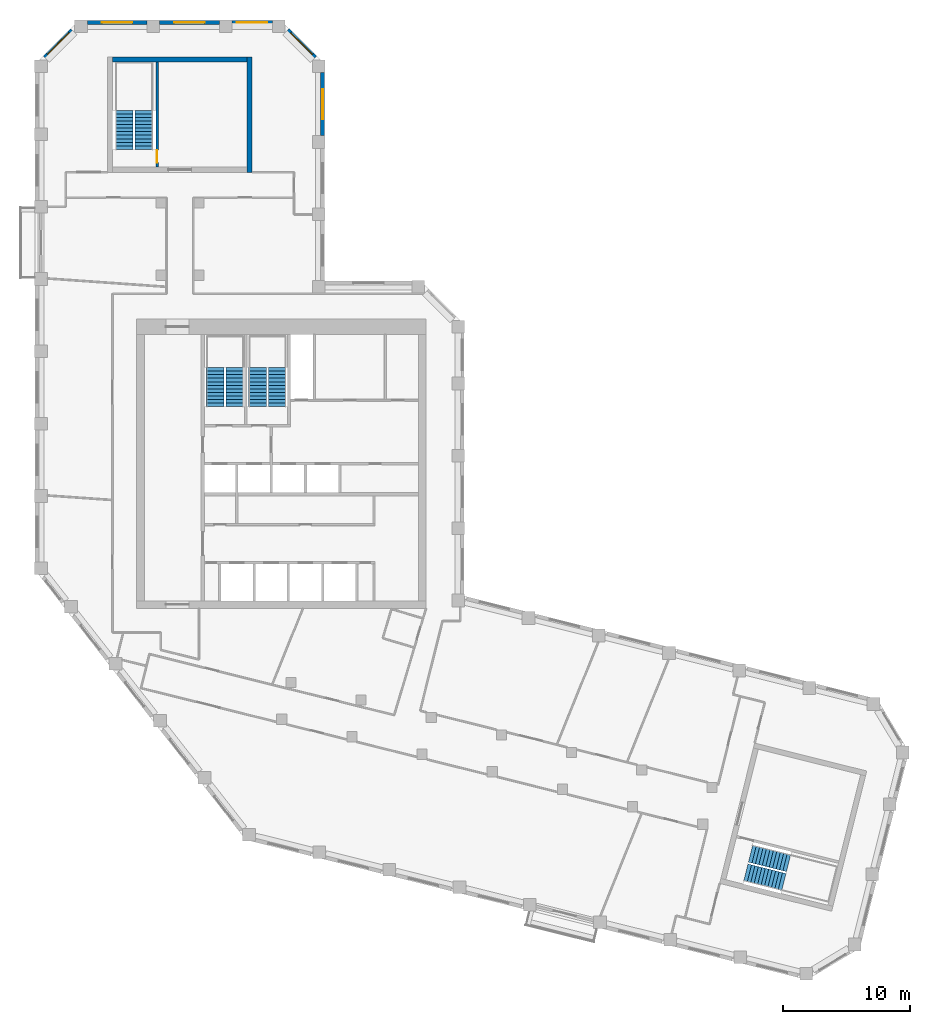
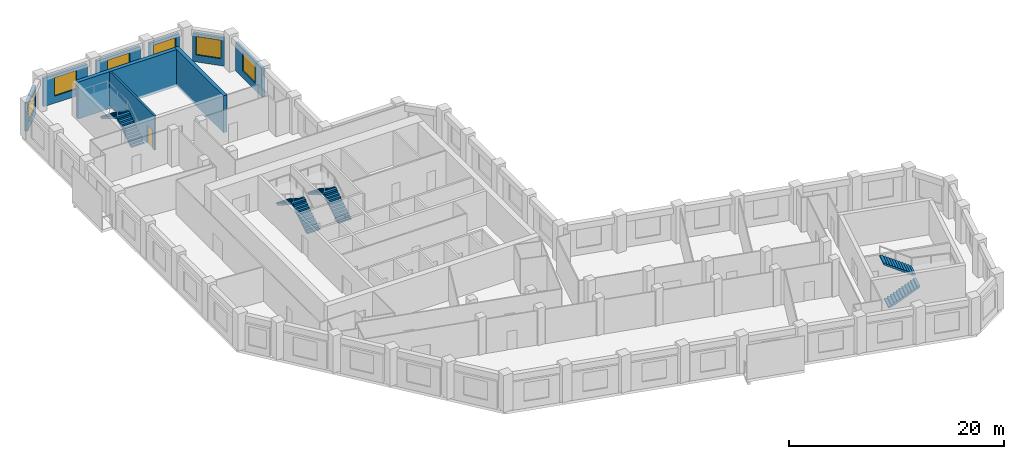
# One storey, part 8 of 9: 9 walls, 8 stair flights, 6 windows, 1 door, 7 openings, 4 elements without a shape of their own.
"""IFC4 building model written with IfcOpenShell, lengths in metres."""

from ifc_helpers import new_model, si_unit, direction, frame, frame_2d, origin, place, context, subcontext, project, spatial, polyline, rectangle, outline, extrude, material, layer, layer_set, type_object, element, fill, aggregate, save


model = new_model("IFC4")

# Units and contexts
model_context = context("Model", 3, precision=1e-05, world=origin(), true_north=direction((0.0, 1.0)))
body_context = subcontext(model_context, "Body", "Model", "MODEL_VIEW")
ifc_project = project(units=[si_unit("LENGTHUNIT", "METRE"), si_unit("AREAUNIT", "SQUARE_METRE"), si_unit("VOLUMEUNIT", "CUBIC_METRE"), si_unit("PLANEANGLEUNIT", "RADIAN"), si_unit("MASSUNIT", "GRAM", prefix="KILO")], contexts=[model_context])

# Site, building, storey
site_placement = place(None, origin())
site = spatial("IfcSite", under=ifc_project, at=site_placement, CompositionType="ELEMENT")
building_placement = place(site_placement, origin())
building = spatial("IfcBuilding", under=site, at=building_placement, Name="Meshkara Civic Tower", CompositionType="ELEMENT")
storey_placement = place(building_placement, frame((0.0, 0.0, 302.39990234375)))
storey = spatial("IfcBuildingStorey", under=building, at=storey_placement, Name="L69", CompositionType="ELEMENT", Elevation=302.39990234375)

# Wall, opening, window
ifc_material_1 = material(Name="Insulated infill panel with bronze anodised aluminium cladding", Category="aluminium")
ifc_layer_1 = layer(ifc_material_1, 0.300048828125)
ifc_layer_set_1 = layer_set([ifc_layer_1], Name="EXTERNAL INFILL WALL 300")
wall_type_1 = type_object("IfcWallType", Name="EXTERNAL INFILL WALL 300", PredefinedType="SOLIDWALL", material=ifc_layer_set_1)
wall_1_placement = place(storey_placement, frame((22.64990234375, 51.35009765625, 0.0), z_axis=(0.0, 0.0, 1.0), x_axis=(0.0, 1.0, 0.0)))
wall_1 = element("IfcWall", 1, at=wall_1_placement, inside=storey, type_object=wall_type_1, Name="External wall", PredefinedType="SOLIDWALL", context=body_context, shape_type="SweptSolid", body=[
    extrude(rectangle(XDim=4.9638671875, YDim=0.300048828125, at=frame_2d((2.48193359375, 0.0))), origin(), (0.0, 0.0, 1.0), 3.2001953125),
])
opening_1_placement = place(wall_1_placement, frame((1.281982421875, 0.0, 0.800048828125)))
opening_1 = element("IfcOpeningElement", 2, at=opening_1_placement, cuts=wall_1, Name="Opening W7", PredefinedType="OPENING", context=body_context, shape_type="SweptSolid", body=[
    extrude(rectangle(XDim=2.39990234375, YDim=2.10009765625, at=frame_2d((1.199951171875, 1.050048828125))), frame((0.0, 0.159912109375, 0.0), z_axis=(0.0, -1.0, 0.0), x_axis=(1.0, 0.0, 0.0)), (0.0, 0.0, 1.0), 0.320068359375),
])
ifc_material_2 = material(Name="Tinted double glazing", Category="glass")
window_type = type_object("IfcWindowType", Name="WINDOW 2400x2100", PartitioningType="DOUBLE_PANEL_VERTICAL", PredefinedType="WINDOW", material=ifc_material_2)
window_1_placement = place(opening_1_placement, origin())
window_1 = element("IfcWindow", 3, at=window_1_placement, inside=storey, type_object=window_type, Name="Window", OverallHeight=2.10009765625, OverallWidth=2.39990234375, PartitioningType="DOUBLE_PANEL_VERTICAL", PredefinedType="WINDOW", context=body_context, shape_type="SweptSolid", body=[
    extrude(rectangle(XDim=2.39990234375, YDim=2.10009765625, at=frame_2d((1.199951171875, 1.050048828125))), frame((0.0, 0.030029296875, 0.0), z_axis=(0.0, -1.0, 0.0), x_axis=(1.0, 0.0, 0.0)), (0.0, 0.0, 1.0), 0.06005859375),
])
fill(opening_1, window_1)

wall_2_placement = place(storey_placement, frame((22.06201171875, 57.52587890625, 0.0), z_axis=(0.0, 0.0, 1.0), x_axis=(-0.707106781187, 0.707106781187, 0.0)))
wall_2 = element("IfcWall", 4, at=wall_2_placement, inside=storey, type_object=wall_type_1, Name="External wall", PredefinedType="SOLIDWALL", context=body_context, shape_type="SweptSolid", body=[
    extrude(rectangle(XDim=3.049072265625, YDim=0.300048828125, at=frame_2d((1.5244140625, 0.0))), origin(), (0.0, 0.0, 1.0), 3.2001953125),
])
opening_2_placement = place(wall_2_placement, frame((0.324951171875, 0.0, 0.800048828125)))
opening_2 = element("IfcOpeningElement", 5, at=opening_2_placement, cuts=wall_2, Name="Opening W7", PredefinedType="OPENING", context=body_context, shape_type="SweptSolid", body=[
    extrude(rectangle(XDim=2.39990234375, YDim=2.10009765625, at=frame_2d((1.199951171875, 1.050048828125))), frame((0.0, 0.159912109375, 0.0), z_axis=(0.0, -1.0, 0.0), x_axis=(1.0, 0.0, 0.0)), (0.0, 0.0, 1.0), 0.320068359375),
])
window_2_placement = place(opening_2_placement, origin())
window_2 = element("IfcWindow", 6, at=window_2_placement, inside=storey, type_object=window_type, Name="Window", OverallHeight=2.10009765625, OverallWidth=2.39990234375, PartitioningType="DOUBLE_PANEL_VERTICAL", PredefinedType="WINDOW", context=body_context, shape_type="SweptSolid", body=[
    extrude(rectangle(XDim=2.39990234375, YDim=2.10009765625, at=frame_2d((1.199951171875, 1.050048828125))), frame((0.0, 0.030029296875, 0.0), z_axis=(0.0, -1.0, 0.0), x_axis=(1.0, 0.0, 0.0)), (0.0, 0.0, 1.0), 0.06005859375),
])
fill(opening_2, window_2)

wall_3_placement = place(storey_placement, frame((18.694091796875, 60.27001953125, 0.0), z_axis=(0.0, 0.0, 1.0), x_axis=(-1.0, 0.0, 0.0)))
wall_3 = element("IfcWall", 7, at=wall_3_placement, inside=storey, type_object=wall_type_1, Name="External wall", PredefinedType="SOLIDWALL", context=body_context, shape_type="SweptSolid", body=[
    extrude(rectangle(XDim=3.18798828125, YDim=0.300048828125, at=frame_2d((1.593994140625, 0.0))), origin(), (0.0, 0.0, 1.0), 3.2001953125),
])
opening_3_placement = place(wall_3_placement, frame((0.39404296875, 0.0, 0.800048828125)))
opening_3 = element("IfcOpeningElement", 8, at=opening_3_placement, cuts=wall_3, Name="Opening W7", PredefinedType="OPENING", context=body_context, shape_type="SweptSolid", body=[
    extrude(rectangle(XDim=2.39990234375, YDim=2.10009765625, at=frame_2d((1.199951171875, 1.050048828125))), frame((0.0, 0.159912109375, 0.0), z_axis=(0.0, -1.0, 0.0), x_axis=(1.0, 0.0, 0.0)), (0.0, 0.0, 1.0), 0.320068359375),
])
window_3_placement = place(opening_3_placement, origin())
window_3 = element("IfcWindow", 9, at=window_3_placement, inside=storey, type_object=window_type, Name="Window", OverallHeight=2.10009765625, OverallWidth=2.39990234375, PartitioningType="DOUBLE_PANEL_VERTICAL", PredefinedType="WINDOW", context=body_context, shape_type="SweptSolid", body=[
    extrude(rectangle(XDim=2.39990234375, YDim=2.10009765625, at=frame_2d((1.199951171875, 1.050048828125))), frame((0.0, 0.030029296875, 0.0), z_axis=(0.0, -1.0, 0.0), x_axis=(1.0, 0.0, 0.0)), (0.0, 0.0, 1.0), 0.06005859375),
])
fill(opening_3, window_3)

wall_4_placement = place(storey_placement, frame((14.506103515625, 60.27001953125, 0.0), z_axis=(0.0, 0.0, 1.0), x_axis=(-1.0, 0.0, 0.0)))
wall_4 = element("IfcWall", 10, at=wall_4_placement, inside=storey, type_object=wall_type_1, Name="External wall", PredefinedType="SOLIDWALL", context=body_context, shape_type="SweptSolid", body=[
    extrude(rectangle(XDim=4.7001953125, YDim=0.300048828125, at=frame_2d((2.35009765625, 0.0))), origin(), (0.0, 0.0, 1.0), 3.2001953125),
])
opening_4_placement = place(wall_4_placement, frame((1.14990234375, 0.0, 0.800048828125)))
opening_4 = element("IfcOpeningElement", 11, at=opening_4_placement, cuts=wall_4, Name="Opening W7", PredefinedType="OPENING", context=body_context, shape_type="SweptSolid", body=[
    extrude(rectangle(XDim=2.39990234375, YDim=2.10009765625, at=frame_2d((1.199951171875, 1.050048828125))), frame((0.0, 0.159912109375, 0.0), z_axis=(0.0, -1.0, 0.0), x_axis=(1.0, 0.0, 0.0)), (0.0, 0.0, 1.0), 0.320068359375),
])
window_4_placement = place(opening_4_placement, origin())
window_4 = element("IfcWindow", 12, at=window_4_placement, inside=storey, type_object=window_type, Name="Window", OverallHeight=2.10009765625, OverallWidth=2.39990234375, PartitioningType="DOUBLE_PANEL_VERTICAL", PredefinedType="WINDOW", context=body_context, shape_type="SweptSolid", body=[
    extrude(rectangle(XDim=2.39990234375, YDim=2.10009765625, at=frame_2d((1.199951171875, 1.050048828125))), frame((0.0, 0.030029296875, 0.0), z_axis=(0.0, -1.0, 0.0), x_axis=(1.0, 0.0, 0.0)), (0.0, 0.0, 1.0), 0.06005859375),
])
fill(opening_4, window_4)

wall_5_placement = place(storey_placement, frame((8.805908203125, 60.27001953125, 0.0), z_axis=(0.0, 0.0, 1.0), x_axis=(-1.0, 0.0, 0.0)))
wall_5 = element("IfcWall", 13, at=wall_5_placement, inside=storey, type_object=wall_type_1, Name="External wall", PredefinedType="SOLIDWALL", context=body_context, shape_type="SweptSolid", body=[
    extrude(rectangle(XDim=4.699951171875, YDim=0.300048828125, at=frame_2d((2.35009765625, 0.0))), origin(), (0.0, 0.0, 1.0), 3.2001953125),
])
opening_5_placement = place(wall_5_placement, frame((1.14990234375, 0.0, 0.800048828125)))
opening_5 = element("IfcOpeningElement", 14, at=opening_5_placement, cuts=wall_5, Name="Opening W7", PredefinedType="OPENING", context=body_context, shape_type="SweptSolid", body=[
    extrude(rectangle(XDim=2.39990234375, YDim=2.10009765625, at=frame_2d((1.199951171875, 1.050048828125))), frame((0.0, 0.159912109375, 0.0), z_axis=(0.0, -1.0, 0.0), x_axis=(1.0, 0.0, 0.0)), (0.0, 0.0, 1.0), 0.320068359375),
])
window_5_placement = place(opening_5_placement, origin())
window_5 = element("IfcWindow", 15, at=window_5_placement, inside=storey, type_object=window_type, Name="Window", OverallHeight=2.10009765625, OverallWidth=2.39990234375, PartitioningType="DOUBLE_PANEL_VERTICAL", PredefinedType="WINDOW", context=body_context, shape_type="SweptSolid", body=[
    extrude(rectangle(XDim=2.39990234375, YDim=2.10009765625, at=frame_2d((1.199951171875, 1.050048828125))), frame((0.0, 0.030029296875, 0.0), z_axis=(0.0, -1.0, 0.0), x_axis=(1.0, 0.0, 0.0)), (0.0, 0.0, 1.0), 0.06005859375),
])
fill(opening_5, window_5)

wall_6_placement = place(storey_placement, frame((2.89404296875, 59.681884765625, 0.0), z_axis=(0.0, 0.0, 1.0), x_axis=(-0.707106781187, -0.707106781187, 0.0)))
wall_6 = element("IfcWall", 16, at=wall_6_placement, inside=storey, type_object=wall_type_1, Name="External wall", PredefinedType="SOLIDWALL", context=body_context, shape_type="SweptSolid", body=[
    extrude(rectangle(XDim=3.049072265625, YDim=0.300048828125, at=frame_2d((1.5244140625, 0.0))), origin(), (0.0, 0.0, 1.0), 3.2001953125),
])
opening_6_placement = place(wall_6_placement, frame((0.324951171875, 0.0, 0.800048828125)))
opening_6 = element("IfcOpeningElement", 17, at=opening_6_placement, cuts=wall_6, Name="Opening W7", PredefinedType="OPENING", context=body_context, shape_type="SweptSolid", body=[
    extrude(rectangle(XDim=2.39990234375, YDim=2.10009765625, at=frame_2d((1.199951171875, 1.050048828125))), frame((0.0, 0.159912109375, 0.0), z_axis=(0.0, -1.0, 0.0), x_axis=(1.0, 0.0, 0.0)), (0.0, 0.0, 1.0), 0.320068359375),
])
window_6_placement = place(opening_6_placement, origin())
window_6 = element("IfcWindow", 18, at=window_6_placement, inside=storey, type_object=window_type, Name="Window", OverallHeight=2.10009765625, OverallWidth=2.39990234375, PartitioningType="DOUBLE_PANEL_VERTICAL", PredefinedType="WINDOW", context=body_context, shape_type="SweptSolid", body=[
    extrude(rectangle(XDim=2.39990234375, YDim=2.10009765625, at=frame_2d((1.199951171875, 1.050048828125))), frame((0.0, 0.030029296875, 0.0), z_axis=(0.0, -1.0, 0.0), x_axis=(1.0, 0.0, 0.0)), (0.0, 0.0, 1.0), 0.06005859375),
])
fill(opening_6, window_6)

# Walls
ifc_material_3 = material(Name="Concrete C60", Category="concrete")
ifc_layer_2 = layer(ifc_material_3, 0.39990234375)
ifc_layer_set_2 = layer_set([ifc_layer_2], Name="End core ring wall 400 C60")
wall_type_2 = type_object("IfcWallType", Name="End core ring wall 400 C60", PredefinedType="SHEAR", material=ifc_layer_set_2)
wall_7_placement = place(storey_placement, frame((16.89990234375, 48.469970703125, -0.2998046875), z_axis=(0.0, 0.0, 1.0), x_axis=(0.0, 1.0, 0.0)))
element("IfcWall", 19, at=wall_7_placement, inside=storey, type_object=wall_type_2, Name="L69-C028", PredefinedType="SHEAR", context=body_context, shape_type="SweptSolid", body=[
    extrude(rectangle(XDim=9.10009765625, YDim=0.39990234375, at=frame_2d((4.550048828125, 0.0))), origin(), (0.0, 0.0, 1.0), 4.199951171875),
])
wall_8_placement = place(storey_placement, frame((6.10009765625, 57.3701171875, -0.2998046875), z_axis=(0.0, 0.0, 1.0), x_axis=(1.0, 0.0, 0.0)))
element("IfcWall", 20, at=wall_8_placement, inside=storey, type_object=wall_type_2, Name="L69-C030", PredefinedType="SHEAR", context=body_context, shape_type="SweptSolid", body=[
    extrude(rectangle(XDim=10.599853515625, YDim=0.39990234375, at=frame_2d((5.2998046875, 0.0))), origin(), (0.0, 0.0, 1.0), 4.199951171875),
])

# Wall, opening, door
ifc_material_4 = material(Name="Concrete C40/50", Category="concrete")
ifc_layer_3 = layer(ifc_material_4, 0.199951171875)
ifc_layer_set_3 = layer_set([ifc_layer_3], Name="Stair enclosure wall 200 C40/50")
wall_type_3 = type_object("IfcWallType", Name="Stair enclosure wall 200 C40/50", PredefinedType="SOLIDWALL", material=ifc_layer_set_3)
wall_9_placement = place(storey_placement, frame((9.60009765625, 48.8701171875, 0.0), z_axis=(0.0, 0.0, 1.0), x_axis=(0.0, 1.0, 0.0)))
wall_9 = element("IfcWall", 21, at=wall_9_placement, inside=storey, type_object=wall_type_3, Name="L69-C031", PredefinedType="SOLIDWALL", context=body_context, shape_type="SweptSolid", body=[
    extrude(rectangle(XDim=8.2998046875, YDim=0.199951171875, at=frame_2d((4.14990234375, 0.0))), origin(), (0.0, 0.0, 1.0), 3.900146484375),
])
opening_7_placement = place(wall_9_placement, frame((0.35009765625, 0.0, 0.0)))
opening_7 = element("IfcOpeningElement", 22, at=opening_7_placement, cuts=wall_9, Name="Opening L69-K101", PredefinedType="OPENING", context=body_context, shape_type="SweptSolid", body=[
    extrude(rectangle(XDim=1.0, YDim=2.10009765625, at=frame_2d((0.5, 1.050048828125))), frame((0.0, 0.10986328125, 0.0), z_axis=(0.0, -1.0, 0.0), x_axis=(1.0, 0.0, 0.0)), (0.0, 0.0, 1.0), 0.219970703125),
])
ifc_material_5 = material(Name="Fire-rated door leaf in steel frame", Category="steel")
door_type = type_object("IfcDoorType", Name="Stair door 1000 EI 120", OperationType="SINGLE_SWING_LEFT", PredefinedType="DOOR", material=ifc_material_5)
door_placement = place(opening_7_placement, origin())
door = element("IfcDoor", 23, at=door_placement, inside=storey, type_object=door_type, Name="L69-K101", OperationType="SINGLE_SWING_RIGHT", OverallHeight=2.10009765625, OverallWidth=1.0, PredefinedType="DOOR", context=body_context, shape_type="SweptSolid", body=[
    extrude(rectangle(XDim=1.0, YDim=2.10009765625, at=frame_2d((0.5, 1.050048828125))), frame((0.0, 0.02490234375, 0.0), z_axis=(0.0, -1.0, 0.0), x_axis=(1.0, 0.0, 0.0)), (0.0, 0.0, 1.0), 0.050048828125),
])
fill(opening_7, door)

# Stair, stair flights
ifc_material_6 = material(Name="Precast concrete C40/50", Category="concrete")
stair_type = type_object("IfcStairType", Name="Exit stair half-turn 24 risers precast", PredefinedType="HALF_TURN_STAIR", material=ifc_material_6)
stair_1_placement = place(storey_placement, origin())
stair_1 = element("IfcStair", 24, at=stair_1_placement, inside=storey, type_object=stair_type, Name="L69 exit stair 1", PredefinedType="HALF_TURN_STAIR")
ifc_material_7 = material(Name="Precast concrete C40/50", Category="concrete")
stair_flight_type = type_object("IfcStairFlightType", Name="Exit stair flight 12 risers precast", PredefinedType="STRAIGHT", material=ifc_material_7)
stair_flight_1_placement = place(storey_placement, frame((15.72509765625, 30.0, 0.0), z_axis=(0.0, 0.0, 1.0), x_axis=(0.0, 1.0, 0.0)))
stair_flight_1 = element("IfcStairFlight", 25, at=stair_flight_1_placement, type_object=stair_flight_type, Name="ST1 flight 1", NumberOfRisers=12, NumberOfTreads=11, PredefinedType="STRAIGHT", RiserHeight=0.175, TreadLength=0.28, context=body_context, shape_type="SweptSolid", body=[
    extrude(outline(polyline([(0.0, 0.0), (0.0, 0.175048828125), (0.280029296875, 0.175048828125), (0.280029296875, 0.35009765625), (0.56005859375, 0.35009765625), (0.56005859375, 0.52490234375), (0.840087890625, 0.52490234375), (0.840087890625, 0.699951171875), (1.1201171875, 0.699951171875), (1.1201171875, 0.875), (1.39990234375, 0.875), (1.39990234375, 1.050048828125), (1.679931640625, 1.050048828125), (1.679931640625, 1.22509765625), (1.9599609375, 1.22509765625), (1.9599609375, 1.39990234375), (2.239990234375, 1.39990234375), (2.239990234375, 1.574951171875), (2.52001953125, 1.574951171875), (2.52001953125, 1.75), (2.800048828125, 1.75), (2.800048828125, 1.925048828125), (3.080078125, 1.925048828125), (3.080078125, 2.10009765625), (3.080078125, 1.748291015625), (0.28271484375, 0.0), (0.0, 0.0)])), frame((0.0, 0.699951171875, 0.0), z_axis=(0.0, -1.0, 0.0), x_axis=(1.0, 0.0, 0.0)), (0.0, 0.0, 1.0), 1.39990234375),
])
stair_flight_2_placement = place(storey_placement, frame((14.175048828125, 33.080078125, 2.10009765625), z_axis=(0.0, 0.0, 1.0), x_axis=(0.0, -1.0, 0.0)))
stair_flight_2 = element("IfcStairFlight", 26, at=stair_flight_2_placement, type_object=stair_flight_type, Name="ST1 flight 2", NumberOfRisers=12, NumberOfTreads=11, PredefinedType="STRAIGHT", RiserHeight=0.175, TreadLength=0.28, context=body_context, shape_type="SweptSolid", body=[
    extrude(outline(polyline([(0.0, 0.0), (0.0, 0.175048828125), (0.280029296875, 0.175048828125), (0.280029296875, 0.35009765625), (0.56005859375, 0.35009765625), (0.56005859375, 0.52490234375), (0.840087890625, 0.52490234375), (0.840087890625, 0.699951171875), (1.1201171875, 0.699951171875), (1.1201171875, 0.875), (1.39990234375, 0.875), (1.39990234375, 1.050048828125), (1.679931640625, 1.050048828125), (1.679931640625, 1.22509765625), (1.9599609375, 1.22509765625), (1.9599609375, 1.39990234375), (2.239990234375, 1.39990234375), (2.239990234375, 1.574951171875), (2.52001953125, 1.574951171875), (2.52001953125, 1.75), (2.800048828125, 1.75), (2.800048828125, 1.925048828125), (3.080078125, 1.925048828125), (3.080078125, 2.10009765625), (3.080078125, 1.748291015625), (0.28271484375, 0.0), (0.0, 0.0)])), frame((0.0, 0.699951171875, 0.0), z_axis=(0.0, -1.0, 0.0), x_axis=(1.0, 0.0, 0.0)), (0.0, 0.0, 1.0), 1.39990234375),
])
aggregate(stair_1, [stair_flight_1, stair_flight_2])

stair_2_placement = place(storey_placement, origin())
stair_2 = element("IfcStair", 27, at=stair_2_placement, inside=storey, type_object=stair_type, Name="L69 exit stair 2", PredefinedType="HALF_TURN_STAIR")
stair_flight_3_placement = place(storey_placement, frame((19.074951171875, 30.0, 0.0), z_axis=(0.0, 0.0, 1.0), x_axis=(0.0, 1.0, 0.0)))
stair_flight_3 = element("IfcStairFlight", 28, at=stair_flight_3_placement, type_object=stair_flight_type, Name="ST2 flight 1", NumberOfRisers=12, NumberOfTreads=11, PredefinedType="STRAIGHT", RiserHeight=0.175, TreadLength=0.28, context=body_context, shape_type="SweptSolid", body=[
    extrude(outline(polyline([(0.0, 0.0), (0.0, 0.175048828125), (0.280029296875, 0.175048828125), (0.280029296875, 0.35009765625), (0.56005859375, 0.35009765625), (0.56005859375, 0.52490234375), (0.840087890625, 0.52490234375), (0.840087890625, 0.699951171875), (1.1201171875, 0.699951171875), (1.1201171875, 0.875), (1.39990234375, 0.875), (1.39990234375, 1.050048828125), (1.679931640625, 1.050048828125), (1.679931640625, 1.22509765625), (1.9599609375, 1.22509765625), (1.9599609375, 1.39990234375), (2.239990234375, 1.39990234375), (2.239990234375, 1.574951171875), (2.52001953125, 1.574951171875), (2.52001953125, 1.75), (2.800048828125, 1.75), (2.800048828125, 1.925048828125), (3.080078125, 1.925048828125), (3.080078125, 2.10009765625), (3.080078125, 1.748291015625), (0.28271484375, 0.0), (0.0, 0.0)])), frame((0.0, 0.699951171875, 0.0), z_axis=(0.0, -1.0, 0.0), x_axis=(1.0, 0.0, 0.0)), (0.0, 0.0, 1.0), 1.39990234375),
])
stair_flight_4_placement = place(storey_placement, frame((17.52490234375, 33.080078125, 2.10009765625), z_axis=(0.0, 0.0, 1.0), x_axis=(0.0, -1.0, 0.0)))
stair_flight_4 = element("IfcStairFlight", 29, at=stair_flight_4_placement, type_object=stair_flight_type, Name="ST2 flight 2", NumberOfRisers=12, NumberOfTreads=11, PredefinedType="STRAIGHT", RiserHeight=0.175, TreadLength=0.28, context=body_context, shape_type="SweptSolid", body=[
    extrude(outline(polyline([(0.0, 0.0), (0.0, 0.175048828125), (0.280029296875, 0.175048828125), (0.280029296875, 0.35009765625), (0.56005859375, 0.35009765625), (0.56005859375, 0.52490234375), (0.840087890625, 0.52490234375), (0.840087890625, 0.699951171875), (1.1201171875, 0.699951171875), (1.1201171875, 0.875), (1.39990234375, 0.875), (1.39990234375, 1.050048828125), (1.679931640625, 1.050048828125), (1.679931640625, 1.22509765625), (1.9599609375, 1.22509765625), (1.9599609375, 1.39990234375), (2.239990234375, 1.39990234375), (2.239990234375, 1.574951171875), (2.52001953125, 1.574951171875), (2.52001953125, 1.75), (2.800048828125, 1.75), (2.800048828125, 1.925048828125), (3.080078125, 1.925048828125), (3.080078125, 2.10009765625), (3.080078125, 1.748291015625), (0.28271484375, 0.0), (0.0, 0.0)])), frame((0.0, 0.699951171875, 0.0), z_axis=(0.0, -1.0, 0.0), x_axis=(1.0, 0.0, 0.0)), (0.0, 0.0, 1.0), 1.39990234375),
])
aggregate(stair_2, [stair_flight_3, stair_flight_4])

stair_3_placement = place(storey_placement, origin())
stair_3 = element("IfcStair", 30, at=stair_3_placement, inside=storey, type_object=stair_type, Name="L69 exit stair A from L65", PredefinedType="HALF_TURN_STAIR")
stair_flight_5_placement = place(storey_placement, frame((8.574951171875, 50.27001953125, 0.0), z_axis=(0.0, 0.0, 1.0), x_axis=(0.0, 1.0, 0.0)))
stair_flight_5 = element("IfcStairFlight", 31, at=stair_flight_5_placement, type_object=stair_flight_type, Name="ESA5 flight 1", NumberOfRisers=12, NumberOfTreads=11, PredefinedType="STRAIGHT", RiserHeight=0.175, TreadLength=0.28, context=body_context, shape_type="SweptSolid", body=[
    extrude(outline(polyline([(0.0, 0.0), (0.0, 0.175048828125), (0.280029296875, 0.175048828125), (0.280029296875, 0.35009765625), (0.56005859375, 0.35009765625), (0.56005859375, 0.52490234375), (0.840087890625, 0.52490234375), (0.840087890625, 0.699951171875), (1.1201171875, 0.699951171875), (1.1201171875, 0.875), (1.39990234375, 0.875), (1.39990234375, 1.050048828125), (1.679931640625, 1.050048828125), (1.679931640625, 1.22509765625), (1.9599609375, 1.22509765625), (1.9599609375, 1.39990234375), (2.239990234375, 1.39990234375), (2.239990234375, 1.574951171875), (2.52001953125, 1.574951171875), (2.52001953125, 1.75), (2.800048828125, 1.75), (2.800048828125, 1.925048828125), (3.080078125, 1.925048828125), (3.080078125, 2.10009765625), (3.080078125, 1.748291015625), (0.28271484375, 0.0), (0.0, 0.0)])), frame((0.0, 0.699951171875, 0.0), z_axis=(0.0, -1.0, 0.0), x_axis=(1.0, 0.0, 0.0)), (0.0, 0.0, 1.0), 1.39990234375),
])
stair_flight_6_placement = place(storey_placement, frame((7.02490234375, 53.35009765625, 2.10009765625), z_axis=(0.0, 0.0, 1.0), x_axis=(0.0, -1.0, 0.0)))
stair_flight_6 = element("IfcStairFlight", 32, at=stair_flight_6_placement, type_object=stair_flight_type, Name="ESA5 flight 2", NumberOfRisers=12, NumberOfTreads=11, PredefinedType="STRAIGHT", RiserHeight=0.175, TreadLength=0.28, context=body_context, shape_type="SweptSolid", body=[
    extrude(outline(polyline([(0.0, 0.0), (0.0, 0.175048828125), (0.280029296875, 0.175048828125), (0.280029296875, 0.35009765625), (0.56005859375, 0.35009765625), (0.56005859375, 0.52490234375), (0.840087890625, 0.52490234375), (0.840087890625, 0.699951171875), (1.1201171875, 0.699951171875), (1.1201171875, 0.875), (1.39990234375, 0.875), (1.39990234375, 1.050048828125), (1.679931640625, 1.050048828125), (1.679931640625, 1.22509765625), (1.9599609375, 1.22509765625), (1.9599609375, 1.39990234375), (2.239990234375, 1.39990234375), (2.239990234375, 1.574951171875), (2.52001953125, 1.574951171875), (2.52001953125, 1.75), (2.800048828125, 1.75), (2.800048828125, 1.925048828125), (3.080078125, 1.925048828125), (3.080078125, 2.10009765625), (3.080078125, 1.748291015625), (0.28271484375, 0.0), (0.0, 0.0)])), frame((0.0, 0.699951171875, 0.0), z_axis=(0.0, -1.0, 0.0), x_axis=(1.0, 0.0, 0.0)), (0.0, 0.0, 1.0), 1.39990234375),
])
aggregate(stair_3, [stair_flight_5, stair_flight_6])

stair_4_placement = place(storey_placement, origin())
stair_4 = element("IfcStair", 33, at=stair_4_placement, inside=storey, type_object=stair_type, Name="L69 exit stair B from L65", PredefinedType="HALF_TURN_STAIR")
stair_flight_7_placement = place(storey_placement, frame((56.0068359375, -6.723876953125, 0.0), z_axis=(0.0, 0.0, 1.0), x_axis=(0.970260066579, -0.242064873955, 0.0)))
stair_flight_7 = element("IfcStairFlight", 34, at=stair_flight_7_placement, type_object=stair_flight_type, Name="ESB5 flight 1", NumberOfRisers=12, NumberOfTreads=11, PredefinedType="STRAIGHT", RiserHeight=0.175, TreadLength=0.28, context=body_context, shape_type="SweptSolid", body=[
    extrude(outline(polyline([(0.0, 0.0), (0.0, 0.175048828125), (0.280029296875, 0.175048828125), (0.280029296875, 0.35009765625), (0.56005859375, 0.35009765625), (0.56005859375, 0.52490234375), (0.840087890625, 0.52490234375), (0.840087890625, 0.699951171875), (1.1201171875, 0.699951171875), (1.1201171875, 0.875), (1.39990234375, 0.875), (1.39990234375, 1.050048828125), (1.679931640625, 1.050048828125), (1.679931640625, 1.22509765625), (1.9599609375, 1.22509765625), (1.9599609375, 1.39990234375), (2.239990234375, 1.39990234375), (2.239990234375, 1.574951171875), (2.52001953125, 1.574951171875), (2.52001953125, 1.75), (2.800048828125, 1.75), (2.800048828125, 1.925048828125), (3.080078125, 1.925048828125), (3.080078125, 2.10009765625), (3.080078125, 1.748291015625), (0.28271484375, 0.0), (0.0, 0.0)])), frame((0.0, 0.699951171875, 0.0), z_axis=(0.0, -1.0, 0.0), x_axis=(1.0, 0.0, 0.0)), (0.0, 0.0, 1.0), 1.39990234375),
])
stair_flight_8_placement = place(storey_placement, frame((59.370361328125, -5.965576171875, 2.10009765625), z_axis=(0.0, 0.0, 1.0), x_axis=(-0.970260066579, 0.242064873955, 0.0)))
stair_flight_8 = element("IfcStairFlight", 35, at=stair_flight_8_placement, type_object=stair_flight_type, Name="ESB5 flight 2", NumberOfRisers=12, NumberOfTreads=11, PredefinedType="STRAIGHT", RiserHeight=0.175, TreadLength=0.28, context=body_context, shape_type="SweptSolid", body=[
    extrude(outline(polyline([(0.0, 0.0), (0.0, 0.175048828125), (0.280029296875, 0.175048828125), (0.280029296875, 0.35009765625), (0.56005859375, 0.35009765625), (0.56005859375, 0.52490234375), (0.840087890625, 0.52490234375), (0.840087890625, 0.699951171875), (1.1201171875, 0.699951171875), (1.1201171875, 0.875), (1.39990234375, 0.875), (1.39990234375, 1.050048828125), (1.679931640625, 1.050048828125), (1.679931640625, 1.22509765625), (1.9599609375, 1.22509765625), (1.9599609375, 1.39990234375), (2.239990234375, 1.39990234375), (2.239990234375, 1.574951171875), (2.52001953125, 1.574951171875), (2.52001953125, 1.75), (2.800048828125, 1.75), (2.800048828125, 1.925048828125), (3.080078125, 1.925048828125), (3.080078125, 2.10009765625), (3.080078125, 1.748291015625), (0.28271484375, 0.0), (0.0, 0.0)])), frame((0.0, 0.699951171875, 0.0), z_axis=(0.0, -1.0, 0.0), x_axis=(1.0, 0.0, 0.0)), (0.0, 0.0, 1.0), 1.39990234375),
])
aggregate(stair_4, [stair_flight_7, stair_flight_8])

save(model, "model.ifc")
